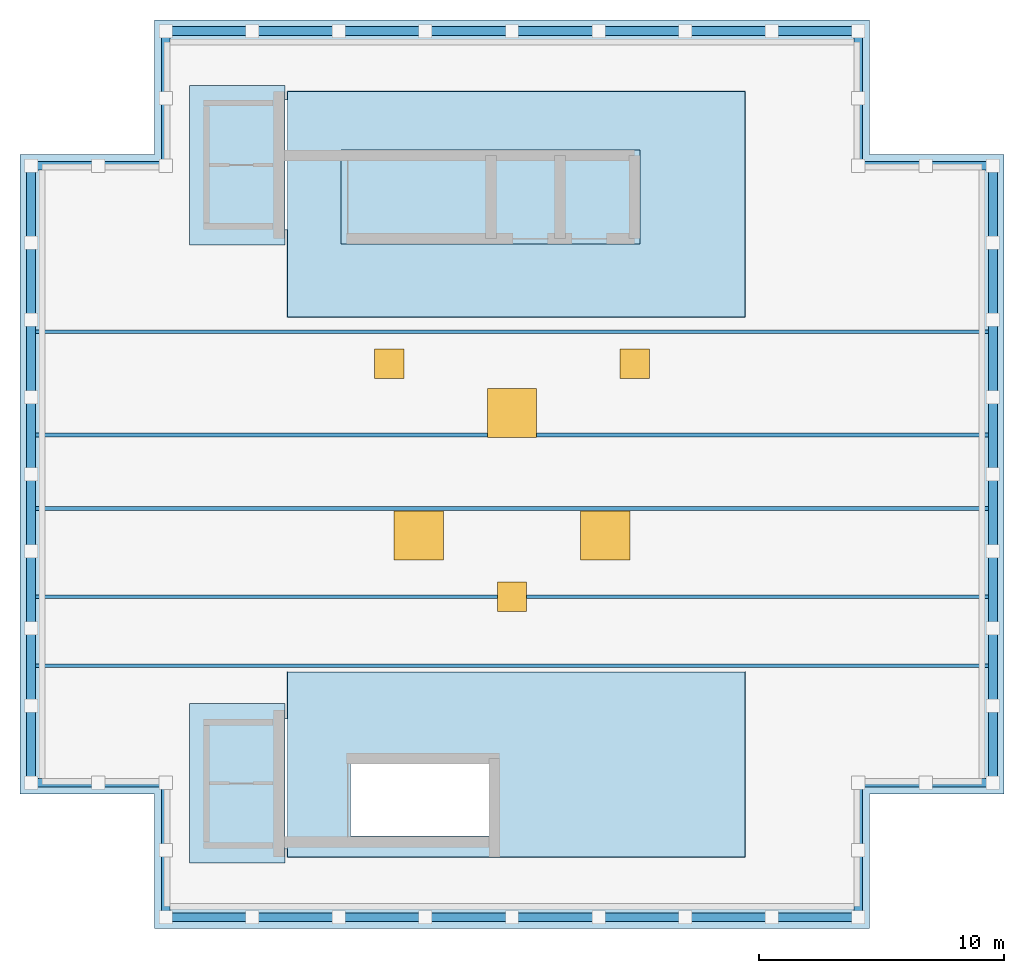
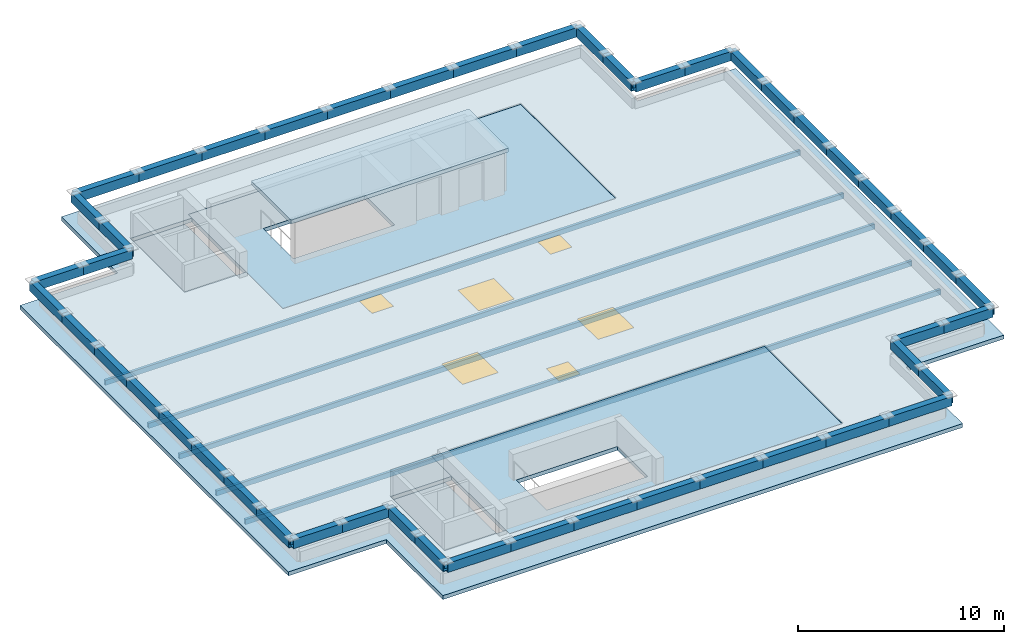
# One storey, part 1 of 3: 53 members, 6 slabs, 6 windows, 6 openings.
"""IFC4 building model written with IfcOpenShell, lengths in metres."""

from ifc_helpers import new_model, si_unit, direction, frame, origin, origin_2d, place, context, subcontext, project, spatial, polyline, rectangle, hollow_rectangle, outline, extrude, material, layer, layer_set, material_profile, profile_set, type_object, element, fill, save


model = new_model("IFC4")

# Units and contexts
model_context = context("Model", 3, precision=1e-05, world=origin(), true_north=direction((0.0, 1.0)))
body_context = subcontext(model_context, "Body", "Model", "MODEL_VIEW")
ifc_project = project(units=[si_unit("LENGTHUNIT", "METRE"), si_unit("AREAUNIT", "SQUARE_METRE"), si_unit("VOLUMEUNIT", "CUBIC_METRE"), si_unit("PLANEANGLEUNIT", "RADIAN"), si_unit("MASSUNIT", "GRAM", prefix="KILO")], contexts=[model_context])

# Site, building, storey
site_placement = place(None, origin())
site = spatial("IfcSite", under=ifc_project, at=site_placement, CompositionType="ELEMENT")
building_placement = place(site_placement, origin())
building = spatial("IfcBuilding", under=site, at=building_placement, Name="Mirazonda Arch Towers", CompositionType="ELEMENT")
storey_placement = place(building_placement, frame((0.0, 0.0, 276.5)))
storey = spatial("IfcBuildingStorey", under=building, at=storey_placement, Name="RF", CompositionType="ELEMENT", Elevation=276.5)

# Members
ifc_material_1 = material(Name="Steel ASTM A572 Grade 50", Category="steel")
ifc_material_profile_1 = material_profile(ifc_material_1, hollow_rectangle(XDim=0.35009765625, YDim=0.550048828125, WallThickness=0.030029296875, at=origin_2d()), Name="CROWNFRAME550x350x30")
ifc_profile_set_1 = profile_set([ifc_material_profile_1], Name="Steel ASTM A572 Grade 50")
member_type_1 = type_object("IfcMemberType", Name="MBR-EXT-CROWNFRAME550x350x30", PredefinedType="USERDEFINED", material=ifc_profile_set_1)
member_1_placement = place(storey_placement, frame((6.385009765625, 9.93994140625, 1.320068359375), z_axis=(1.0, 0.0, 0.0), x_axis=(0.0, 1.0, 0.0)))
element("IfcMember", 1, at=member_1_placement, inside=storey, type_object=member_type_1, Name="T1 Ring Crown Cap Beam 3-01", ObjectType="CROWN FRAME", PredefinedType="USERDEFINED", context=body_context, shape_type="SweptSolid", body=[
    extrude(hollow_rectangle(XDim=0.35009765625, YDim=0.550048828125, WallThickness=0.030029296875, at=origin_2d()), origin(), (0.0, 0.0, 1.0), 3.52880859375),
])
member_2_placement = place(storey_placement, frame((9.913818359375, 9.93994140625, 1.320068359375), z_axis=(1.0, 0.0, 0.0), x_axis=(0.0, 1.0, 0.0)))
element("IfcMember", 2, at=member_2_placement, inside=storey, type_object=member_type_1, Name="T1 Ring Crown Cap Beam 3-02", ObjectType="CROWN FRAME", PredefinedType="USERDEFINED", context=body_context, shape_type="SweptSolid", body=[
    extrude(hollow_rectangle(XDim=0.35009765625, YDim=0.550048828125, WallThickness=0.030029296875, at=origin_2d()), origin(), (0.0, 0.0, 1.0), 3.528564453125),
])
for number, where, z_axis, x_axis, name in (
    (3, (13.4423828125, 9.93994140625, 1.320068359375), (1.0, 0.0, 0.0), (0.0, 1.0, 0.0), "T1 Ring Crown Cap Beam 3-03"),
    (4, (16.97119140625, 9.93994140625, 1.320068359375), (1.0, 0.0, 0.0), (0.0, 1.0, 0.0), "T1 Ring Crown Cap Beam 3-04"),
    (5, (20.5, 9.93994140625, 1.320068359375), (1.0, 0.0, 0.0), (0.0, 1.0, 0.0), "T1 Ring Crown Cap Beam 3-05"),
    (6, (24.02880859375, 9.93994140625, 1.320068359375), (1.0, 0.0, 0.0), (0.0, 1.0, 0.0), "T1 Ring Crown Cap Beam 3-06"),
):
    element("IfcMember", number, at=place(storey_placement, frame(where, z_axis=z_axis, x_axis=x_axis)), inside=storey, type_object=member_type_1, Name=name, ObjectType="CROWN FRAME", PredefinedType="USERDEFINED", context=body_context, shape_type="SweptSolid", body=[
        extrude(hollow_rectangle(XDim=0.35009765625, YDim=0.550048828125, WallThickness=0.030029296875, at=origin_2d()), origin(), (0.0, 0.0, 1.0), 3.52880859375),
    ])
member_3_placement = place(storey_placement, frame((27.5576171875, 9.93994140625, 1.320068359375), z_axis=(1.0, 0.0, 0.0), x_axis=(0.0, 1.0, 0.0)))
element("IfcMember", 7, at=member_3_placement, inside=storey, type_object=member_type_1, Name="T1 Ring Crown Cap Beam 3-07", ObjectType="CROWN FRAME", PredefinedType="USERDEFINED", context=body_context, shape_type="SweptSolid", body=[
    extrude(hollow_rectangle(XDim=0.35009765625, YDim=0.550048828125, WallThickness=0.030029296875, at=origin_2d()), origin(), (0.0, 0.0, 1.0), 3.528564453125),
])
member_4_placement = place(storey_placement, frame((31.086181640625, 9.93994140625, 1.320068359375), z_axis=(1.0, 0.0, 0.0), x_axis=(0.0, 1.0, 0.0)))
element("IfcMember", 8, at=member_4_placement, inside=storey, type_object=member_type_1, Name="T1 Ring Crown Cap Beam 3-08", ObjectType="CROWN FRAME", PredefinedType="USERDEFINED", context=body_context, shape_type="SweptSolid", body=[
    extrude(hollow_rectangle(XDim=0.35009765625, YDim=0.550048828125, WallThickness=0.030029296875, at=origin_2d()), origin(), (0.0, 0.0, 1.0), 3.52880859375),
])
member_5_placement = place(storey_placement, frame((34.614990234375, 9.93994140625, 1.320068359375), z_axis=(0.0, 1.0, 0.0), x_axis=(-1.0, 0.0, 0.0)))
element("IfcMember", 9, at=member_5_placement, inside=storey, type_object=member_type_1, Name="T1 Ring Crown Cap Beam 3-09", ObjectType="CROWN FRAME", PredefinedType="USERDEFINED", context=body_context, shape_type="SweptSolid", body=[
    extrude(hollow_rectangle(XDim=0.35009765625, YDim=0.550048828125, WallThickness=0.030029296875, at=origin_2d()), origin(), (0.0, 0.0, 1.0), 2.74267578125),
])
for number, where, z_axis, x_axis, name in (
    (10, (34.614990234375, 12.6826171875, 1.320068359375), (0.0, 1.0, 0.0), (-1.0, 0.0, 0.0), "T1 Ring Crown Cap Beam 3-10"),
    (11, (34.614990234375, 15.425048828125, 1.320068359375), (1.0, 0.0, 0.0), (0.0, 1.0, 0.0), "T1 Ring Crown Cap Beam 3-11"),
):
    element("IfcMember", number, at=place(storey_placement, frame(where, z_axis=z_axis, x_axis=x_axis)), inside=storey, type_object=member_type_1, Name=name, ObjectType="CROWN FRAME", PredefinedType="USERDEFINED", context=body_context, shape_type="SweptSolid", body=[
        extrude(hollow_rectangle(XDim=0.35009765625, YDim=0.550048828125, WallThickness=0.030029296875, at=origin_2d()), origin(), (0.0, 0.0, 1.0), 2.742431640625),
    ])
member_6_placement = place(storey_placement, frame((37.357421875, 15.425048828125, 1.320068359375), z_axis=(1.0, 0.0, 0.0), x_axis=(0.0, 1.0, 0.0)))
element("IfcMember", 12, at=member_6_placement, inside=storey, type_object=member_type_1, Name="T1 Ring Crown Cap Beam 3-12", ObjectType="CROWN FRAME", PredefinedType="USERDEFINED", context=body_context, shape_type="SweptSolid", body=[
    extrude(hollow_rectangle(XDim=0.35009765625, YDim=0.550048828125, WallThickness=0.030029296875, at=origin_2d()), origin(), (0.0, 0.0, 1.0), 2.74267578125),
])
member_7_placement = place(storey_placement, frame((40.10009765625, 15.425048828125, 1.320068359375), z_axis=(0.0, 1.0, 0.0), x_axis=(-1.0, 0.0, 0.0)))
element("IfcMember", 13, at=member_7_placement, inside=storey, type_object=member_type_1, Name="T1 Ring Crown Cap Beam 3-13", ObjectType="CROWN FRAME", PredefinedType="USERDEFINED", context=body_context, shape_type="SweptSolid", body=[
    extrude(hollow_rectangle(XDim=0.35009765625, YDim=0.550048828125, WallThickness=0.030029296875, at=origin_2d()), origin(), (0.0, 0.0, 1.0), 3.143798828125),
])
member_8_placement = place(storey_placement, frame((40.10009765625, 18.56884765625, 1.320068359375), z_axis=(0.0, 1.0, 0.0), x_axis=(-1.0, 0.0, 0.0)))
element("IfcMember", 14, at=member_8_placement, inside=storey, type_object=member_type_1, Name="T1 Ring Crown Cap Beam 3-14", ObjectType="CROWN FRAME", PredefinedType="USERDEFINED", context=body_context, shape_type="SweptSolid", body=[
    extrude(hollow_rectangle(XDim=0.35009765625, YDim=0.550048828125, WallThickness=0.030029296875, at=origin_2d()), origin(), (0.0, 0.0, 1.0), 3.1435546875),
])
for number, where, z_axis, x_axis, name in (
    (15, (40.10009765625, 21.71240234375, 1.320068359375), (0.0, 1.0, 0.0), (-1.0, 0.0, 0.0), "T1 Ring Crown Cap Beam 3-15"),
    (16, (40.10009765625, 24.856201171875, 1.320068359375), (0.0, 1.0, 0.0), (-1.0, 0.0, 0.0), "T1 Ring Crown Cap Beam 3-16"),
    (17, (40.10009765625, 28.0, 1.320068359375), (0.0, 1.0, 0.0), (-1.0, 0.0, 0.0), "T1 Ring Crown Cap Beam 3-17"),
    (18, (40.10009765625, 31.143798828125, 1.320068359375), (0.0, 1.0, 0.0), (-1.0, 0.0, 0.0), "T1 Ring Crown Cap Beam 3-18"),
    (19, (40.10009765625, 34.28759765625, 1.320068359375), (0.0, 1.0, 0.0), (-1.0, 0.0, 0.0), "T1 Ring Crown Cap Beam 3-19"),
):
    element("IfcMember", number, at=place(storey_placement, frame(where, z_axis=z_axis, x_axis=x_axis)), inside=storey, type_object=member_type_1, Name=name, ObjectType="CROWN FRAME", PredefinedType="USERDEFINED", context=body_context, shape_type="SweptSolid", body=[
        extrude(hollow_rectangle(XDim=0.35009765625, YDim=0.550048828125, WallThickness=0.030029296875, at=origin_2d()), origin(), (0.0, 0.0, 1.0), 3.143798828125),
    ])
member_9_placement = place(storey_placement, frame((40.10009765625, 37.431396484375, 1.320068359375), z_axis=(0.0, 1.0, 0.0), x_axis=(-1.0, 0.0, 0.0)))
element("IfcMember", 20, at=member_9_placement, inside=storey, type_object=member_type_1, Name="T1 Ring Crown Cap Beam 3-20", ObjectType="CROWN FRAME", PredefinedType="USERDEFINED", context=body_context, shape_type="SweptSolid", body=[
    extrude(hollow_rectangle(XDim=0.35009765625, YDim=0.550048828125, WallThickness=0.030029296875, at=origin_2d()), origin(), (0.0, 0.0, 1.0), 3.1435546875),
])
member_10_placement = place(storey_placement, frame((40.10009765625, 40.574951171875, 1.320068359375), z_axis=(-1.0, 0.0, 0.0), x_axis=(0.0, -1.0, 0.0)))
element("IfcMember", 21, at=member_10_placement, inside=storey, type_object=member_type_1, Name="T1 Ring Crown Cap Beam 3-21", ObjectType="CROWN FRAME", PredefinedType="USERDEFINED", context=body_context, shape_type="SweptSolid", body=[
    extrude(hollow_rectangle(XDim=0.35009765625, YDim=0.550048828125, WallThickness=0.030029296875, at=origin_2d()), origin(), (0.0, 0.0, 1.0), 2.74267578125),
])
for number, where, z_axis, x_axis, name in (
    (22, (37.357421875, 40.574951171875, 1.320068359375), (-1.0, 0.0, 0.0), (0.0, -1.0, 0.0), "T1 Ring Crown Cap Beam 3-22"),
    (23, (34.614990234375, 40.574951171875, 1.320068359375), (0.0, 1.0, 0.0), (-1.0, 0.0, 0.0), "T1 Ring Crown Cap Beam 3-23"),
):
    element("IfcMember", number, at=place(storey_placement, frame(where, z_axis=z_axis, x_axis=x_axis)), inside=storey, type_object=member_type_1, Name=name, ObjectType="CROWN FRAME", PredefinedType="USERDEFINED", context=body_context, shape_type="SweptSolid", body=[
        extrude(hollow_rectangle(XDim=0.35009765625, YDim=0.550048828125, WallThickness=0.030029296875, at=origin_2d()), origin(), (0.0, 0.0, 1.0), 2.742431640625),
    ])
member_11_placement = place(storey_placement, frame((34.614990234375, 43.3173828125, 1.320068359375), z_axis=(0.0, 1.0, 0.0), x_axis=(-1.0, 0.0, 0.0)))
element("IfcMember", 24, at=member_11_placement, inside=storey, type_object=member_type_1, Name="T1 Ring Crown Cap Beam 3-24", ObjectType="CROWN FRAME", PredefinedType="USERDEFINED", context=body_context, shape_type="SweptSolid", body=[
    extrude(hollow_rectangle(XDim=0.35009765625, YDim=0.550048828125, WallThickness=0.030029296875, at=origin_2d()), origin(), (0.0, 0.0, 1.0), 2.74267578125),
])
member_12_placement = place(storey_placement, frame((34.614990234375, 46.06005859375, 1.320068359375), z_axis=(-1.0, 0.0, 0.0), x_axis=(0.0, -1.0, 0.0)))
element("IfcMember", 25, at=member_12_placement, inside=storey, type_object=member_type_1, Name="T1 Ring Crown Cap Beam 3-25", ObjectType="CROWN FRAME", PredefinedType="USERDEFINED", context=body_context, shape_type="SweptSolid", body=[
    extrude(hollow_rectangle(XDim=0.35009765625, YDim=0.550048828125, WallThickness=0.030029296875, at=origin_2d()), origin(), (0.0, 0.0, 1.0), 3.52880859375),
])
member_13_placement = place(storey_placement, frame((31.086181640625, 46.06005859375, 1.320068359375), z_axis=(-1.0, 0.0, 0.0), x_axis=(0.0, -1.0, 0.0)))
element("IfcMember", 26, at=member_13_placement, inside=storey, type_object=member_type_1, Name="T1 Ring Crown Cap Beam 3-26", ObjectType="CROWN FRAME", PredefinedType="USERDEFINED", context=body_context, shape_type="SweptSolid", body=[
    extrude(hollow_rectangle(XDim=0.35009765625, YDim=0.550048828125, WallThickness=0.030029296875, at=origin_2d()), origin(), (0.0, 0.0, 1.0), 3.528564453125),
])
for number, where, z_axis, x_axis, name in (
    (27, (27.5576171875, 46.06005859375, 1.320068359375), (-1.0, 0.0, 0.0), (0.0, -1.0, 0.0), "T1 Ring Crown Cap Beam 3-27"),
    (28, (24.02880859375, 46.06005859375, 1.320068359375), (-1.0, 0.0, 0.0), (0.0, -1.0, 0.0), "T1 Ring Crown Cap Beam 3-28"),
    (29, (20.5, 46.06005859375, 1.320068359375), (-1.0, 0.0, 0.0), (0.0, -1.0, 0.0), "T1 Ring Crown Cap Beam 3-29"),
    (30, (16.97119140625, 46.06005859375, 1.320068359375), (-1.0, 0.0, 0.0), (0.0, -1.0, 0.0), "T1 Ring Crown Cap Beam 3-30"),
):
    element("IfcMember", number, at=place(storey_placement, frame(where, z_axis=z_axis, x_axis=x_axis)), inside=storey, type_object=member_type_1, Name=name, ObjectType="CROWN FRAME", PredefinedType="USERDEFINED", context=body_context, shape_type="SweptSolid", body=[
        extrude(hollow_rectangle(XDim=0.35009765625, YDim=0.550048828125, WallThickness=0.030029296875, at=origin_2d()), origin(), (0.0, 0.0, 1.0), 3.52880859375),
    ])
member_14_placement = place(storey_placement, frame((13.4423828125, 46.06005859375, 1.320068359375), z_axis=(-1.0, 0.0, 0.0), x_axis=(0.0, -1.0, 0.0)))
element("IfcMember", 31, at=member_14_placement, inside=storey, type_object=member_type_1, Name="T1 Ring Crown Cap Beam 3-31", ObjectType="CROWN FRAME", PredefinedType="USERDEFINED", context=body_context, shape_type="SweptSolid", body=[
    extrude(hollow_rectangle(XDim=0.35009765625, YDim=0.550048828125, WallThickness=0.030029296875, at=origin_2d()), origin(), (0.0, 0.0, 1.0), 3.528564453125),
])
member_15_placement = place(storey_placement, frame((9.913818359375, 46.06005859375, 1.320068359375), z_axis=(-1.0, 0.0, 0.0), x_axis=(0.0, -1.0, 0.0)))
element("IfcMember", 32, at=member_15_placement, inside=storey, type_object=member_type_1, Name="T1 Ring Crown Cap Beam 3-32", ObjectType="CROWN FRAME", PredefinedType="USERDEFINED", context=body_context, shape_type="SweptSolid", body=[
    extrude(hollow_rectangle(XDim=0.35009765625, YDim=0.550048828125, WallThickness=0.030029296875, at=origin_2d()), origin(), (0.0, 0.0, 1.0), 3.52880859375),
])
member_16_placement = place(storey_placement, frame((6.385009765625, 46.06005859375, 1.320068359375), z_axis=(0.0, -1.0, 0.0), x_axis=(1.0, 0.0, 0.0)))
element("IfcMember", 33, at=member_16_placement, inside=storey, type_object=member_type_1, Name="T1 Ring Crown Cap Beam 3-33", ObjectType="CROWN FRAME", PredefinedType="USERDEFINED", context=body_context, shape_type="SweptSolid", body=[
    extrude(hollow_rectangle(XDim=0.35009765625, YDim=0.550048828125, WallThickness=0.030029296875, at=origin_2d()), origin(), (0.0, 0.0, 1.0), 2.74267578125),
])
for number, where, z_axis, x_axis, name in (
    (34, (6.385009765625, 43.3173828125, 1.320068359375), (0.0, -1.0, 0.0), (1.0, 0.0, 0.0), "T1 Ring Crown Cap Beam 3-34"),
    (35, (6.385009765625, 40.574951171875, 1.320068359375), (-1.0, 0.0, 0.0), (0.0, -1.0, 0.0), "T1 Ring Crown Cap Beam 3-35"),
):
    element("IfcMember", number, at=place(storey_placement, frame(where, z_axis=z_axis, x_axis=x_axis)), inside=storey, type_object=member_type_1, Name=name, ObjectType="CROWN FRAME", PredefinedType="USERDEFINED", context=body_context, shape_type="SweptSolid", body=[
        extrude(hollow_rectangle(XDim=0.35009765625, YDim=0.550048828125, WallThickness=0.030029296875, at=origin_2d()), origin(), (0.0, 0.0, 1.0), 2.742431640625),
    ])
member_17_placement = place(storey_placement, frame((3.642578125, 40.574951171875, 1.320068359375), z_axis=(-1.0, 0.0, 0.0), x_axis=(0.0, -1.0, 0.0)))
element("IfcMember", 36, at=member_17_placement, inside=storey, type_object=member_type_1, Name="T1 Ring Crown Cap Beam 3-36", ObjectType="CROWN FRAME", PredefinedType="USERDEFINED", context=body_context, shape_type="SweptSolid", body=[
    extrude(hollow_rectangle(XDim=0.35009765625, YDim=0.550048828125, WallThickness=0.030029296875, at=origin_2d()), origin(), (0.0, 0.0, 1.0), 2.74267578125),
])
member_18_placement = place(storey_placement, frame((0.89990234375, 40.574951171875, 1.320068359375), z_axis=(0.0, -1.0, 0.0), x_axis=(1.0, 0.0, 0.0)))
element("IfcMember", 37, at=member_18_placement, inside=storey, type_object=member_type_1, Name="T1 Ring Crown Cap Beam 3-37", ObjectType="CROWN FRAME", PredefinedType="USERDEFINED", context=body_context, shape_type="SweptSolid", body=[
    extrude(hollow_rectangle(XDim=0.35009765625, YDim=0.550048828125, WallThickness=0.030029296875, at=origin_2d()), origin(), (0.0, 0.0, 1.0), 3.1435546875),
])
for number, where, z_axis, x_axis, name in (
    (38, (0.89990234375, 37.431396484375, 1.320068359375), (0.0, -1.0, 0.0), (1.0, 0.0, 0.0), "T1 Ring Crown Cap Beam 3-38"),
    (39, (0.89990234375, 34.28759765625, 1.320068359375), (0.0, -1.0, 0.0), (1.0, 0.0, 0.0), "T1 Ring Crown Cap Beam 3-39"),
    (40, (0.89990234375, 31.143798828125, 1.320068359375), (0.0, -1.0, 0.0), (1.0, 0.0, 0.0), "T1 Ring Crown Cap Beam 3-40"),
    (41, (0.89990234375, 28.0, 1.320068359375), (0.0, -1.0, 0.0), (1.0, 0.0, 0.0), "T1 Ring Crown Cap Beam 3-41"),
    (42, (0.89990234375, 24.856201171875, 1.320068359375), (0.0, -1.0, 0.0), (1.0, 0.0, 0.0), "T1 Ring Crown Cap Beam 3-42"),
):
    element("IfcMember", number, at=place(storey_placement, frame(where, z_axis=z_axis, x_axis=x_axis)), inside=storey, type_object=member_type_1, Name=name, ObjectType="CROWN FRAME", PredefinedType="USERDEFINED", context=body_context, shape_type="SweptSolid", body=[
        extrude(hollow_rectangle(XDim=0.35009765625, YDim=0.550048828125, WallThickness=0.030029296875, at=origin_2d()), origin(), (0.0, 0.0, 1.0), 3.143798828125),
    ])
member_19_placement = place(storey_placement, frame((0.89990234375, 21.71240234375, 1.320068359375), z_axis=(0.0, -1.0, 0.0), x_axis=(1.0, 0.0, 0.0)))
element("IfcMember", 43, at=member_19_placement, inside=storey, type_object=member_type_1, Name="T1 Ring Crown Cap Beam 3-43", ObjectType="CROWN FRAME", PredefinedType="USERDEFINED", context=body_context, shape_type="SweptSolid", body=[
    extrude(hollow_rectangle(XDim=0.35009765625, YDim=0.550048828125, WallThickness=0.030029296875, at=origin_2d()), origin(), (0.0, 0.0, 1.0), 3.1435546875),
])
member_20_placement = place(storey_placement, frame((0.89990234375, 18.56884765625, 1.320068359375), z_axis=(0.0, -1.0, 0.0), x_axis=(1.0, 0.0, 0.0)))
element("IfcMember", 44, at=member_20_placement, inside=storey, type_object=member_type_1, Name="T1 Ring Crown Cap Beam 3-44", ObjectType="CROWN FRAME", PredefinedType="USERDEFINED", context=body_context, shape_type="SweptSolid", body=[
    extrude(hollow_rectangle(XDim=0.35009765625, YDim=0.550048828125, WallThickness=0.030029296875, at=origin_2d()), origin(), (0.0, 0.0, 1.0), 3.143798828125),
])
member_21_placement = place(storey_placement, frame((0.89990234375, 15.425048828125, 1.320068359375), z_axis=(1.0, 0.0, 0.0), x_axis=(0.0, 1.0, 0.0)))
element("IfcMember", 45, at=member_21_placement, inside=storey, type_object=member_type_1, Name="T1 Ring Crown Cap Beam 3-45", ObjectType="CROWN FRAME", PredefinedType="USERDEFINED", context=body_context, shape_type="SweptSolid", body=[
    extrude(hollow_rectangle(XDim=0.35009765625, YDim=0.550048828125, WallThickness=0.030029296875, at=origin_2d()), origin(), (0.0, 0.0, 1.0), 2.74267578125),
])
for number, where, z_axis, x_axis, name in (
    (46, (3.642578125, 15.425048828125, 1.320068359375), (1.0, 0.0, 0.0), (0.0, 1.0, 0.0), "T1 Ring Crown Cap Beam 3-46"),
    (47, (6.385009765625, 15.425048828125, 1.320068359375), (0.0, -1.0, 0.0), (1.0, 0.0, 0.0), "T1 Ring Crown Cap Beam 3-47"),
):
    element("IfcMember", number, at=place(storey_placement, frame(where, z_axis=z_axis, x_axis=x_axis)), inside=storey, type_object=member_type_1, Name=name, ObjectType="CROWN FRAME", PredefinedType="USERDEFINED", context=body_context, shape_type="SweptSolid", body=[
        extrude(hollow_rectangle(XDim=0.35009765625, YDim=0.550048828125, WallThickness=0.030029296875, at=origin_2d()), origin(), (0.0, 0.0, 1.0), 2.742431640625),
    ])
member_22_placement = place(storey_placement, frame((6.385009765625, 12.6826171875, 1.320068359375), z_axis=(0.0, -1.0, 0.0), x_axis=(1.0, 0.0, 0.0)))
element("IfcMember", 48, at=member_22_placement, inside=storey, type_object=member_type_1, Name="T1 Ring Crown Cap Beam 3-48", ObjectType="CROWN FRAME", PredefinedType="USERDEFINED", context=body_context, shape_type="SweptSolid", body=[
    extrude(hollow_rectangle(XDim=0.35009765625, YDim=0.550048828125, WallThickness=0.030029296875, at=origin_2d()), origin(), (0.0, 0.0, 1.0), 2.74267578125),
])
ifc_material_profile_2 = material_profile(ifc_material_1, hollow_rectangle(XDim=0.14990234375, YDim=0.300048828125, WallThickness=0.011962890625, at=origin_2d()), Name="ROOFPURLIN300x150x12")
ifc_profile_set_2 = profile_set([ifc_material_profile_2], Name="Steel ASTM A572 Grade 50")
member_type_2 = type_object("IfcMemberType", Name="MBR-EXT-ROOFPURLIN300x150x12", PredefinedType="PURLIN", material=ifc_profile_set_2)
for number, where, z_axis, x_axis, name in (
    (49, (1.02001953125, 20.199951171875, -0.3798828125), (1.0, 0.0, 0.0), (0.0, 1.0, 0.0), "T1 Crown Roof Purlin 1"),
    (50, (1.02001953125, 33.800048828125, -0.3798828125), (1.0, 0.0, 0.0), (0.0, 1.0, 0.0), "T1 Crown Roof Purlin 5"),
):
    element("IfcMember", number, at=place(storey_placement, frame(where, z_axis=z_axis, x_axis=x_axis)), inside=storey, type_object=member_type_2, Name=name, PredefinedType="PURLIN", context=body_context, shape_type="SweptSolid", body=[
        extrude(hollow_rectangle(XDim=0.14990234375, YDim=0.300048828125, WallThickness=0.011962890625, at=origin_2d()), origin(), (0.0, 0.0, 1.0), 38.9599609375),
    ])
ifc_material_profile_3 = material_profile(ifc_material_1, hollow_rectangle(XDim=0.14990234375, YDim=0.300048828125, WallThickness=0.011962890625, at=origin_2d()), Name="ROOFPURLIN300x150x12")
ifc_profile_set_3 = profile_set([ifc_material_profile_3], Name="Steel ASTM A572 Grade 50")
member_type_3 = type_object("IfcMemberType", Name="MBR-INT-ROOFPURLIN300x150x12", PredefinedType="PURLIN", material=ifc_profile_set_3)
for number, where, z_axis, x_axis, name in (
    (51, (1.02001953125, 23.0, -0.3798828125), (1.0, 0.0, 0.0), (0.0, 1.0, 0.0), "T1 Crown Roof Purlin 2"),
    (52, (1.02001953125, 26.60009765625, -0.3798828125), (1.0, 0.0, 0.0), (0.0, 1.0, 0.0), "T1 Crown Roof Purlin 3"),
    (53, (1.02001953125, 29.60009765625, -0.3798828125), (1.0, 0.0, 0.0), (0.0, 1.0, 0.0), "T1 Crown Roof Purlin 4"),
):
    element("IfcMember", number, at=place(storey_placement, frame(where, z_axis=z_axis, x_axis=x_axis)), inside=storey, type_object=member_type_3, Name=name, PredefinedType="PURLIN", context=body_context, shape_type="SweptSolid", body=[
        extrude(hollow_rectangle(XDim=0.14990234375, YDim=0.300048828125, WallThickness=0.011962890625, at=origin_2d()), origin(), (0.0, 0.0, 1.0), 38.9599609375),
    ])

# Slabs
ifc_material_2 = material(Name="Concrete C40/50", Category="concrete")
ifc_layer_1 = layer(ifc_material_2, 0.22998046875, Name="SLAB-PH-230")
ifc_layer_set_1 = layer_set([ifc_layer_1], Name="Concrete C40/50")
slab_type_1 = type_object("IfcSlabType", Name="SLAB-PH-230", PredefinedType="FLOOR", material=ifc_layer_set_1)
slab_1_placement = place(storey_placement, frame((0.0, 0.0, 2.449951171875)))
element("IfcSlab", 54, at=slab_1_placement, inside=storey, type_object=slab_type_1, Name="RF North Core Firefighting Lift Headhouse Ceiling Slab", PredefinedType="FLOOR", context=body_context, shape_type="SweptSolid", body=[
    extrude(outline(polyline([(13.52490234375, 37.375), (25.72509765625, 37.375), (25.72509765625, 41.218017578125), (13.52490234375, 41.218017578125), (13.52490234375, 37.375)])), origin(), (0.0, 0.0, 1.0), 0.22998046875),
])
slab_2_placement = place(storey_placement, frame((0.0, 0.0, -0.22998046875)))
element("IfcSlab", 55, at=slab_2_placement, inside=storey, type_object=slab_type_1, Name="RF Tower 1 North Core Penthouse Maintenance Floor Slab", PredefinedType="FLOOR", context=body_context, shape_type="SweptSolid", body=[
    extrude(outline(polyline([(11.361083984375, 34.40087890625), (29.9990234375, 34.40087890625), (29.9990234375, 43.59912109375), (11.361083984375, 43.59912109375), (11.361083984375, 34.40087890625)]), holes=[polyline([(13.925048828125, 40.760009765625), (19.60009765625, 40.760009765625), (19.60009765625, 37.820068359375), (13.925048828125, 37.820068359375), (13.925048828125, 40.760009765625)])]), origin(), (0.0, 0.0, 1.0), 0.22998046875),
])
slab_3_placement = place(storey_placement, frame((0.0, 0.0, -0.22998046875)))
element("IfcSlab", 56, at=slab_3_placement, inside=storey, type_object=slab_type_1, Name="RF Tower 1 South Core Penthouse Maintenance Floor Slab", PredefinedType="FLOOR", context=body_context, shape_type="SweptSolid", body=[
    extrude(outline(polyline([(11.361083984375, 12.40087890625), (29.9990234375, 12.40087890625), (29.9990234375, 19.948974609375), (11.361083984375, 19.948974609375), (11.361083984375, 12.40087890625)]), holes=[polyline([(13.925048828125, 16.18994140625), (19.60009765625, 16.18994140625), (19.60009765625, 13.25), (13.925048828125, 13.25), (13.925048828125, 16.18994140625)])]), origin(), (0.0, 0.0, 1.0), 0.22998046875),
])
slab_4_placement = place(storey_placement, frame((0.0, 0.0, -0.81005859375)))
element("IfcSlab", 57, at=slab_4_placement, inside=storey, type_object=slab_type_1, Name="RF Tower 1 North Stair Maintenance Vestibule Slab", PredefinedType="FLOOR", context=body_context, shape_type="SweptSolid", body=[
    extrude(outline(polyline([(11.239990234375, 37.35009765625), (11.239990234375, 43.85009765625), (7.35009765625, 43.85009765625), (7.35009765625, 37.35009765625), (11.239990234375, 37.35009765625)])), origin(), (0.0, 0.0, 1.0), 0.22998046875),
])
slab_5_placement = place(storey_placement, frame((0.0, 0.0, -0.81005859375)))
element("IfcSlab", 58, at=slab_5_placement, inside=storey, type_object=slab_type_1, Name="RF Tower 1 South Stair Maintenance Vestibule Slab", PredefinedType="FLOOR", context=body_context, shape_type="SweptSolid", body=[
    extrude(outline(polyline([(11.239990234375, 12.14990234375), (11.239990234375, 18.64990234375), (7.35009765625, 18.64990234375), (7.35009765625, 12.14990234375), (11.239990234375, 12.14990234375)])), origin(), (0.0, 0.0, 1.0), 0.22998046875),
])

# Slab, openings, windows
ifc_layer_2 = layer(ifc_material_2, 0.22998046875, Name="SLAB-ROOF-CROWN-230")
ifc_layer_set_2 = layer_set([ifc_layer_2], Name="Concrete C40/50")
slab_type_2 = type_object("IfcSlabType", Name="SLAB-ROOF-CROWN-230", PredefinedType="ROOF", material=ifc_layer_set_2)
slab_6_placement = place(storey_placement, frame((0.0, 0.0, -0.22998046875)))
slab_6 = element("IfcSlab", 59, at=slab_6_placement, inside=storey, type_object=slab_type_2, Name="RF Tower 1 Closed Constructivist Ring Crown Roof Cap", PredefinedType="ROOF", context=body_context, shape_type="SweptSolid", body=[
    extrude(outline(polyline([(5.93505859375, 9.489990234375), (35.06494140625, 9.489990234375), (35.06494140625, 14.97509765625), (40.550048828125, 14.97509765625), (40.550048828125, 41.02490234375), (35.06494140625, 41.02490234375), (35.06494140625, 46.510009765625), (5.93505859375, 46.510009765625), (5.93505859375, 41.02490234375), (0.449951171875, 41.02490234375), (0.449951171875, 14.97509765625), (5.93505859375, 14.97509765625), (5.93505859375, 9.489990234375)]), holes=[polyline([(30.0, 19.949951171875), (30.0, 12.39990234375), (11.360107421875, 12.39990234375), (11.360107421875, 12.75), (7.919921875, 12.75), (7.919921875, 18.02001953125), (11.360107421875, 18.02001953125), (11.360107421875, 19.949951171875), (30.0, 19.949951171875)]), polyline([(11.360107421875, 34.39990234375), (11.360107421875, 37.97998046875), (7.919921875, 37.97998046875), (7.919921875, 43.25), (11.360107421875, 43.25), (11.360107421875, 43.60009765625), (30.0, 43.60009765625), (30.0, 34.39990234375), (11.360107421875, 34.39990234375)])]), origin(), (0.0, 0.0, 1.0), 0.22998046875),
])
opening_1_placement = place(slab_6_placement, frame((16.699951171875, 25.5, 0.0)))
opening_1 = element("IfcOpeningElement", 60, at=opening_1_placement, cuts=slab_6, Name="Opening WN-131", PredefinedType="OPENING", context=body_context, shape_type="SweptSolid", body=[
    extrude(rectangle(XDim=2.0, YDim=2.0, at=origin_2d()), frame((0.0, 0.0, -0.010009765625)), (0.0, 0.0, 1.0), 0.25),
])
opening_2_placement = place(slab_6_placement, frame((24.300048828125, 25.5, 0.0)))
opening_2 = element("IfcOpeningElement", 61, at=opening_2_placement, cuts=slab_6, Name="Opening WN-131", PredefinedType="OPENING", context=body_context, shape_type="SweptSolid", body=[
    extrude(rectangle(XDim=2.0, YDim=2.0, at=origin_2d()), frame((0.0, 0.0, -0.010009765625)), (0.0, 0.0, 1.0), 0.25),
])
opening_3_placement = place(slab_6_placement, frame((20.5, 30.5, 0.0)))
opening_3 = element("IfcOpeningElement", 62, at=opening_3_placement, cuts=slab_6, Name="Opening WN-131", PredefinedType="OPENING", context=body_context, shape_type="SweptSolid", body=[
    extrude(rectangle(XDim=2.0, YDim=2.0, at=origin_2d()), frame((0.0, 0.0, -0.010009765625)), (0.0, 0.0, 1.0), 0.25),
])
opening_4_placement = place(slab_6_placement, frame((15.5, 32.5, 0.0)))
opening_4 = element("IfcOpeningElement", 63, at=opening_4_placement, cuts=slab_6, Name="Opening WN-110", PredefinedType="OPENING", context=body_context, shape_type="SweptSolid", body=[
    extrude(rectangle(XDim=1.199951171875, YDim=1.199951171875, at=origin_2d()), frame((0.0, 0.0, -0.010009765625)), (0.0, 0.0, 1.0), 0.25),
])
opening_5_placement = place(slab_6_placement, frame((25.5, 32.5, 0.0)))
opening_5 = element("IfcOpeningElement", 64, at=opening_5_placement, cuts=slab_6, Name="Opening WN-110", PredefinedType="OPENING", context=body_context, shape_type="SweptSolid", body=[
    extrude(rectangle(XDim=1.199951171875, YDim=1.199951171875, at=origin_2d()), frame((0.0, 0.0, -0.010009765625)), (0.0, 0.0, 1.0), 0.25),
])
opening_6_placement = place(slab_6_placement, frame((20.5, 23.0, 0.0)))
opening_6 = element("IfcOpeningElement", 65, at=opening_6_placement, cuts=slab_6, Name="Opening WN-110", PredefinedType="OPENING", context=body_context, shape_type="SweptSolid", body=[
    extrude(rectangle(XDim=1.199951171875, YDim=1.199951171875, at=origin_2d()), frame((0.0, 0.0, -0.010009765625)), (0.0, 0.0, 1.0), 0.25),
])
ifc_material_3 = material(Name="Insulated Low-E Solar Glass", Category="glass")
window_type_1 = type_object("IfcWindowType", Name="WIN-HATCH-ROOF-1200x1200", PartitioningType="SINGLE_PANEL", PredefinedType="SKYLIGHT", material=ifc_material_3)
window_1_placement = place(opening_4_placement, frame((0.0, 0.0, 0.179931640625)))
window_1 = element("IfcWindow", 66, at=window_1_placement, inside=storey, type_object=window_type_1, Name="T1 Crown Roof Maintenance Access Hatch 1", OverallHeight=1.199951171875, OverallWidth=1.199951171875, PartitioningType="SINGLE_PANEL", PredefinedType="SKYLIGHT", context=body_context, shape_type="SweptSolid", body=[
    extrude(rectangle(XDim=1.199951171875, YDim=1.199951171875, at=origin_2d()), origin(), (0.0, 0.0, 1.0), 0.050048828125),
])
fill(opening_4, window_1)
window_2_placement = place(opening_5_placement, frame((0.0, 0.0, 0.179931640625)))
window_2 = element("IfcWindow", 67, at=window_2_placement, inside=storey, type_object=window_type_1, Name="T1 Crown Roof Maintenance Access Hatch 2", OverallHeight=1.199951171875, OverallWidth=1.199951171875, PartitioningType="SINGLE_PANEL", PredefinedType="SKYLIGHT", context=body_context, shape_type="SweptSolid", body=[
    extrude(rectangle(XDim=1.199951171875, YDim=1.199951171875, at=origin_2d()), origin(), (0.0, 0.0, 1.0), 0.050048828125),
])
fill(opening_5, window_2)
window_3_placement = place(opening_6_placement, frame((0.0, 0.0, 0.179931640625)))
window_3 = element("IfcWindow", 68, at=window_3_placement, inside=storey, type_object=window_type_1, Name="T1 Crown Roof Maintenance Access Hatch 3", OverallHeight=1.199951171875, OverallWidth=1.199951171875, PartitioningType="SINGLE_PANEL", PredefinedType="SKYLIGHT", context=body_context, shape_type="SweptSolid", body=[
    extrude(rectangle(XDim=1.199951171875, YDim=1.199951171875, at=origin_2d()), origin(), (0.0, 0.0, 1.0), 0.050048828125),
])
fill(opening_6, window_3)
window_type_2 = type_object("IfcWindowType", Name="WIN-SKY-CROWN-2000x2000", PartitioningType="SINGLE_PANEL", PredefinedType="SKYLIGHT", material=ifc_material_3)
window_4_placement = place(opening_1_placement, frame((0.0, 0.0, 0.179931640625)))
window_4 = element("IfcWindow", 69, at=window_4_placement, inside=storey, type_object=window_type_2, Name="T1 Crown Roof Skylight 1", OverallHeight=2.0, OverallWidth=2.0, PartitioningType="SINGLE_PANEL", PredefinedType="SKYLIGHT", context=body_context, shape_type="SweptSolid", body=[
    extrude(rectangle(XDim=2.0, YDim=2.0, at=origin_2d()), origin(), (0.0, 0.0, 1.0), 0.050048828125),
])
fill(opening_1, window_4)
window_5_placement = place(opening_2_placement, frame((0.0, 0.0, 0.179931640625)))
window_5 = element("IfcWindow", 70, at=window_5_placement, inside=storey, type_object=window_type_2, Name="T1 Crown Roof Skylight 2", OverallHeight=2.0, OverallWidth=2.0, PartitioningType="SINGLE_PANEL", PredefinedType="SKYLIGHT", context=body_context, shape_type="SweptSolid", body=[
    extrude(rectangle(XDim=2.0, YDim=2.0, at=origin_2d()), origin(), (0.0, 0.0, 1.0), 0.050048828125),
])
fill(opening_2, window_5)
window_6_placement = place(opening_3_placement, frame((0.0, 0.0, 0.179931640625)))
window_6 = element("IfcWindow", 71, at=window_6_placement, inside=storey, type_object=window_type_2, Name="T1 Crown Roof Skylight 3", OverallHeight=2.0, OverallWidth=2.0, PartitioningType="SINGLE_PANEL", PredefinedType="SKYLIGHT", context=body_context, shape_type="SweptSolid", body=[
    extrude(rectangle(XDim=2.0, YDim=2.0, at=origin_2d()), origin(), (0.0, 0.0, 1.0), 0.050048828125),
])
fill(opening_3, window_6)

save(model, "model.ifc")
